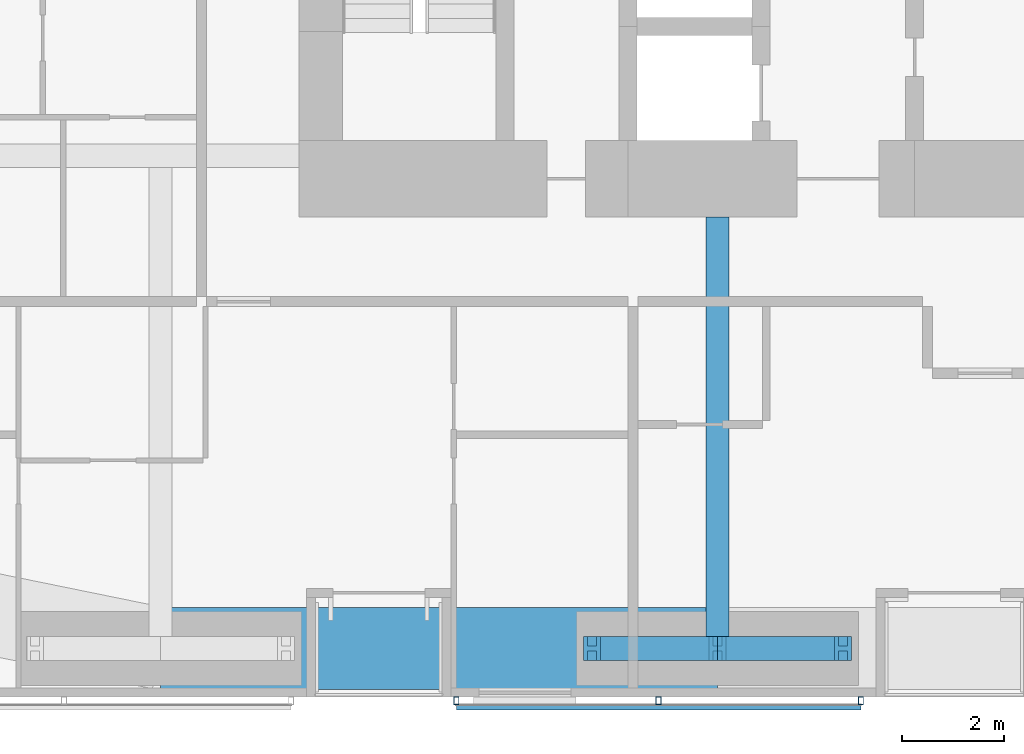
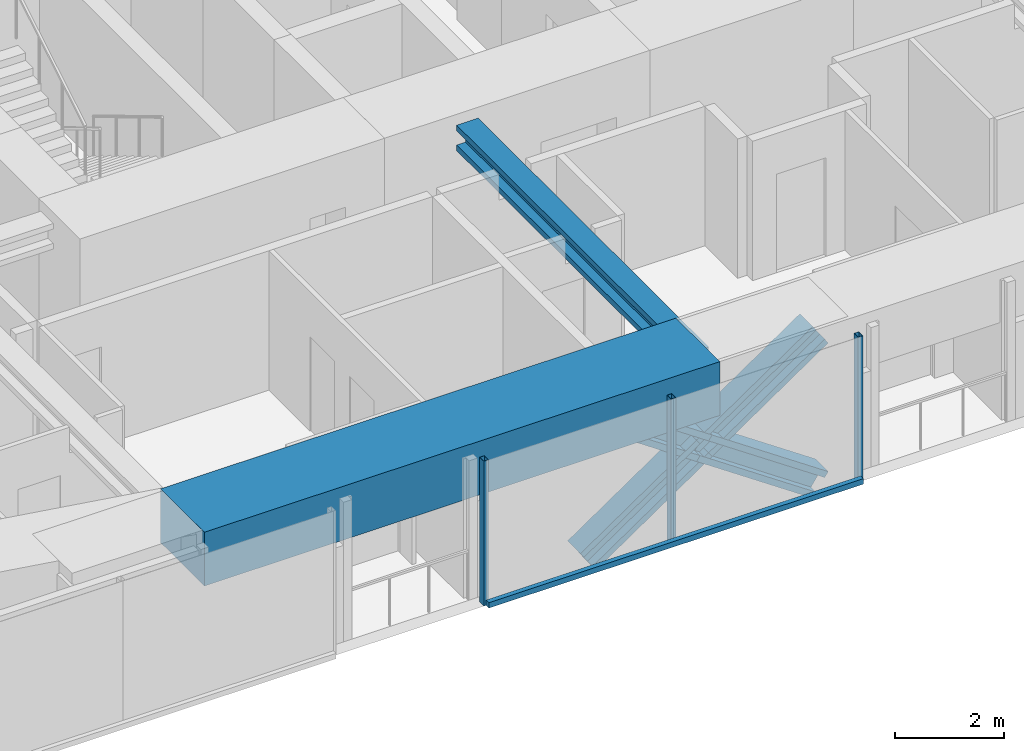
# One storey, part 4 of 23: 8 members, 2 beams, 1 element without a shape of its own.
"""IFC4 building model written with IfcOpenShell, lengths in metres."""

from ifc_helpers import new_model, si_unit, direction, frame, origin, origin_2d, place, context, subcontext, project, spatial, rectangle, hollow_rectangle, i_section, extrude, material, material_profile, profile_set, type_object, element, aggregate, save


model = new_model("IFC4")

# Units and contexts
model_context = context("Model", 3, precision=1e-05, world=origin(), true_north=direction((0.0, 1.0)))
body_context = subcontext(model_context, "Body", "Model", "MODEL_VIEW")
ifc_project = project(units=[si_unit("LENGTHUNIT", "METRE"), si_unit("AREAUNIT", "SQUARE_METRE"), si_unit("VOLUMEUNIT", "CUBIC_METRE"), si_unit("PLANEANGLEUNIT", "RADIAN"), si_unit("MASSUNIT", "GRAM", prefix="KILO")], contexts=[model_context])

# Site, building, storey
site_placement = place(None, origin())
site = spatial("IfcSite", under=ifc_project, at=site_placement, CompositionType="ELEMENT")
building_placement = place(site_placement, origin())
building = spatial("IfcBuilding", under=site, at=building_placement, Name="Jalousie Tower", CompositionType="ELEMENT")
storey_placement = place(building_placement, frame((0.0, 0.0, 108.199951171875)))
storey = spatial("IfcBuildingStorey", under=building, at=storey_placement, Name="L29", CompositionType="ELEMENT", Elevation=108.199951171875)

# Beam
ifc_material_1 = material(Name="Steel ASTM A992 Grade 50", Category="steel")
ifc_material_profile_1 = material_profile(ifc_material_1, i_section(OverallWidth=0.45458984375, OverallDepth=0.569091796875, WebThickness=0.077880859375, FlangeThickness=0.124755859375, at=origin_2d()), Name="W14X730")
ifc_profile_set_1 = profile_set([ifc_material_profile_1], Name="Steel ASTM A992 Grade 50")
beam_type_1 = type_object("IfcBeamType", Name="LEAN COLLECTOR W14X730", PredefinedType="BEAM", material=ifc_profile_set_1)
beam_1_placement = place(storey_placement, frame((27.75, 0.949951171875, 2.825439453125), z_axis=(0.0, 1.0, 0.0), x_axis=(-1.0, 0.0, 0.0)))
element("IfcBeam", 1, at=beam_1_placement, inside=storey, type_object=beam_type_1, Name="Lean collector under L30", PredefinedType="BEAM", context=body_context, shape_type="SweptSolid", body=[
    extrude(i_section(OverallWidth=0.45458984375, OverallDepth=0.569091796875, WebThickness=0.077880859375, FlangeThickness=0.124755859375, at=origin_2d()), origin(), (0.0, 0.0, 1.0), 8.425048828125),
])

# Members
ifc_material_2 = material(Name="Steel ASTM A992 Grade 50", Category="steel")
ifc_material_profile_2 = material_profile(ifc_material_2, i_section(OverallWidth=0.472412109375, OverallDepth=0.5791015625, WebThickness=0.094970703125, FlangeThickness=0.1298828125, at=origin_2d()), Name="W14X808")
ifc_profile_set_2 = profile_set([ifc_material_profile_2], Name="Steel ASTM A992 Grade 50")
member_type_1 = type_object("IfcMemberType", Name="PERIMETER BRACE W14X808", PredefinedType="BRACE", material=ifc_profile_set_2)
for number, where, z_axis, x_axis, name in (
    (2, (25.300048828125, 0.949951171875, -0.599853515625), (0.825539243753, 0.0, 0.564344714713), (0.0, 1.0, 0.0), "Perimeter brace 03 L29 part 1"),
    (3, (27.75, 0.949951171875, 1.074951171875), (0.825500916831, 0.0, 0.564400776321), (0.0, 1.0, 0.0), "Perimeter brace 03 L29 part 2"),
    (4, (30.199951171875, 0.949951171875, -0.599853515625), (-0.825539243753, 0.0, 0.564344714713), (0.0, -1.0, 0.0), "Perimeter brace 03 L29 part 3"),
    (5, (27.75, 0.949951171875, 1.074951171875), (-0.825500916831, 0.0, 0.564400776321), (0.0, -1.0, 0.0), "Perimeter brace 03 L29 part 4"),
):
    element("IfcMember", number, at=place(storey_placement, frame(where, z_axis=z_axis, x_axis=x_axis)), inside=storey, type_object=member_type_1, Name=name, PredefinedType="BRACE", context=body_context, shape_type="SweptSolid", body=[
        extrude(i_section(OverallWidth=0.472412109375, OverallDepth=0.5791015625, WebThickness=0.094970703125, FlangeThickness=0.1298828125, at=origin_2d()), origin(), (0.0, 0.0, 1.0), 2.9677734375),
    ])

# Beam
ifc_material_3 = material(Name="Concrete f'c 40 MPa", Category="concrete")
ifc_material_profile_3 = material_profile(ifc_material_3, rectangle(XDim=1.60009765625, YDim=1.199951171875, at=origin_2d()), Name="RC 1600x1200")
ifc_profile_set_3 = profile_set([ifc_material_profile_3], Name="Concrete f'c 40 MPa")
beam_type_2 = type_object("IfcBeamType", Name="RC BEAM 1600x1200", PredefinedType="BEAM", material=ifc_profile_set_3)
beam_2_placement = place(storey_placement, frame((16.875, 0.949951171875, 2.75), z_axis=(1.0, 0.0, 0.0), x_axis=(0.0, 1.0, 0.0)))
element("IfcBeam", 6, at=beam_2_placement, inside=storey, type_object=beam_type_2, Name="Edge band beam 02-03 under L30", PredefinedType="BEAM", context=body_context, shape_type="SweptSolid", body=[
    extrude(rectangle(XDim=1.60009765625, YDim=1.199951171875, at=origin_2d()), origin(), (0.0, 0.0, 1.0), 10.875),
])

# Curtain wall, members
ifc_material_4 = material(Name="Perforated aluminium sheet", Category="aluminium")
curtain_wall_type = type_object("IfcCurtainWallType", Name="SOLAR SCREEN SS-1", PredefinedType="USERDEFINED", material=ifc_material_4)
curtain_wall_placement = place(storey_placement, origin())
curtain_wall = element("IfcCurtainWall", 7, at=curtain_wall_placement, inside=storey, type_object=curtain_wall_type, Name="Solar screen L29", ObjectType="SOLAR SCREEN SS-1", PredefinedType="USERDEFINED")
ifc_material_5 = material(Name="Steel ASTM A500 Grade C", Category="steel")
ifc_material_profile_4 = material_profile(ifc_material_5, hollow_rectangle(XDim=0.1015625, YDim=0.15234375, WallThickness=0.00634765625, at=origin_2d()), Name="HSS6X4X1/4")
ifc_profile_set_4 = profile_set([ifc_material_profile_4], Name="Steel ASTM A500 Grade C")
member_type_2 = type_object("IfcMemberType", Name="SOLAR SCREEN SS-1 MULLION", PredefinedType="MULLION", material=ifc_profile_set_4)
member_1_placement = place(storey_placement, frame((22.64990234375, -0.0712890625, -0.119873046875), z_axis=(0.0, 0.0, 1.0), x_axis=(1.0, 0.0, 0.0)))
member_1 = element("IfcMember", 8, at=member_1_placement, type_object=member_type_2, Name="SS1 post 1", PredefinedType="MULLION", context=body_context, shape_type="SweptSolid", body=[
    extrude(hollow_rectangle(XDim=0.1015625, YDim=0.15234375, WallThickness=0.00634765625, at=origin_2d()), origin(), (0.0, 0.0, 1.0), 3.22998046875),
])
member_2_placement = place(storey_placement, frame((26.60009765625, -0.0712890625, -0.119873046875), z_axis=(0.0, 0.0, 1.0), x_axis=(1.0, 0.0, 0.0)))
member_2 = element("IfcMember", 9, at=member_2_placement, type_object=member_type_2, Name="SS1 post 2", PredefinedType="MULLION", context=body_context, shape_type="SweptSolid", body=[
    extrude(hollow_rectangle(XDim=0.1015625, YDim=0.15234375, WallThickness=0.00634765625, at=origin_2d()), origin(), (0.0, 0.0, 1.0), 3.22998046875),
])
member_3_placement = place(storey_placement, frame((30.550048828125, -0.0712890625, -0.119873046875), z_axis=(0.0, 0.0, 1.0), x_axis=(1.0, 0.0, 0.0)))
member_3 = element("IfcMember", 10, at=member_3_placement, type_object=member_type_2, Name="SS1 post 3", PredefinedType="MULLION", context=body_context, shape_type="SweptSolid", body=[
    extrude(hollow_rectangle(XDim=0.1015625, YDim=0.15234375, WallThickness=0.00634765625, at=origin_2d()), origin(), (0.0, 0.0, 1.0), 3.22998046875),
])
ifc_material_6 = material(Name="Extruded aluminium screen rail", Category="aluminium")
ifc_material_profile_5 = material_profile(ifc_material_6, rectangle(XDim=0.1015625, YDim=0.1201171875, at=origin_2d()), Name="RAIL 102x120")
ifc_profile_set_5 = profile_set([ifc_material_profile_5], Name="Extruded aluminium screen rail")
member_type_3 = type_object("IfcMemberType", Name="SOLAR SCREEN SS-1 TRANSOM", PredefinedType="USERDEFINED", material=ifc_profile_set_5)
member_4_placement = place(storey_placement, frame((22.64990234375, -0.1982421875, -0.06005859375), z_axis=(1.0, 0.0, 0.0), x_axis=(0.0, 1.0, 0.0)))
member_4 = element("IfcMember", 11, at=member_4_placement, type_object=member_type_3, Name="SS1 rail", ObjectType="TRANSOM", PredefinedType="USERDEFINED", context=body_context, shape_type="SweptSolid", body=[
    extrude(rectangle(XDim=0.1015625, YDim=0.1201171875, at=origin_2d()), origin(), (0.0, 0.0, 1.0), 7.900146484375),
])
aggregate(curtain_wall, [member_1, member_2, member_3, member_4])

save(model, "model.ifc")
